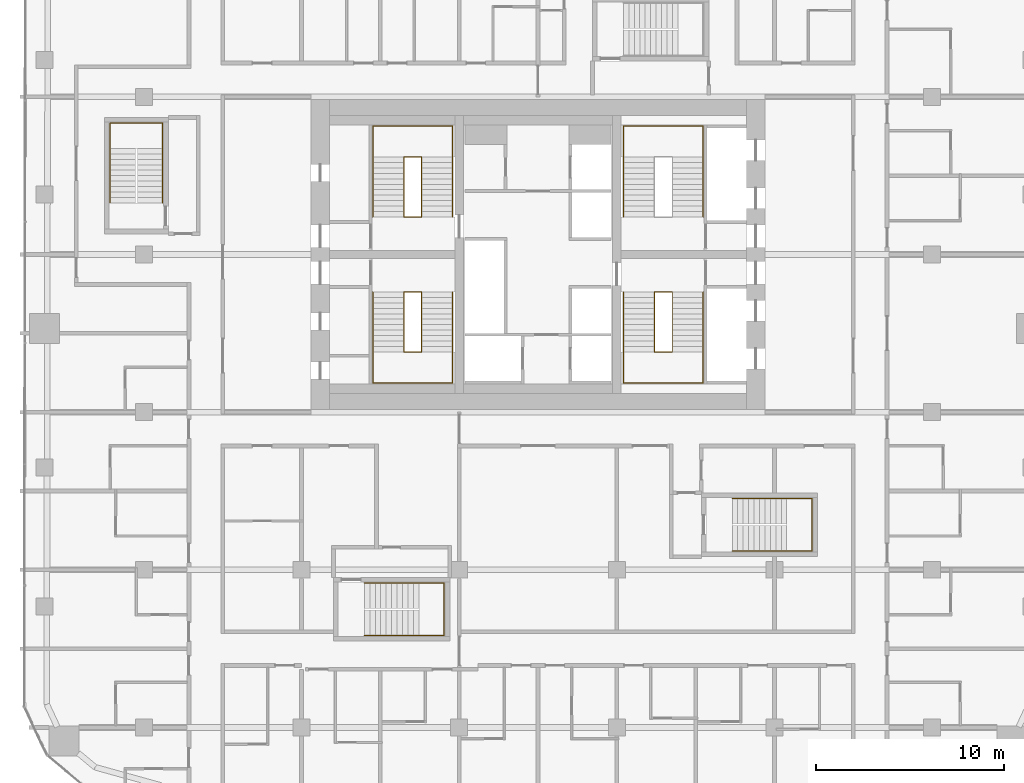
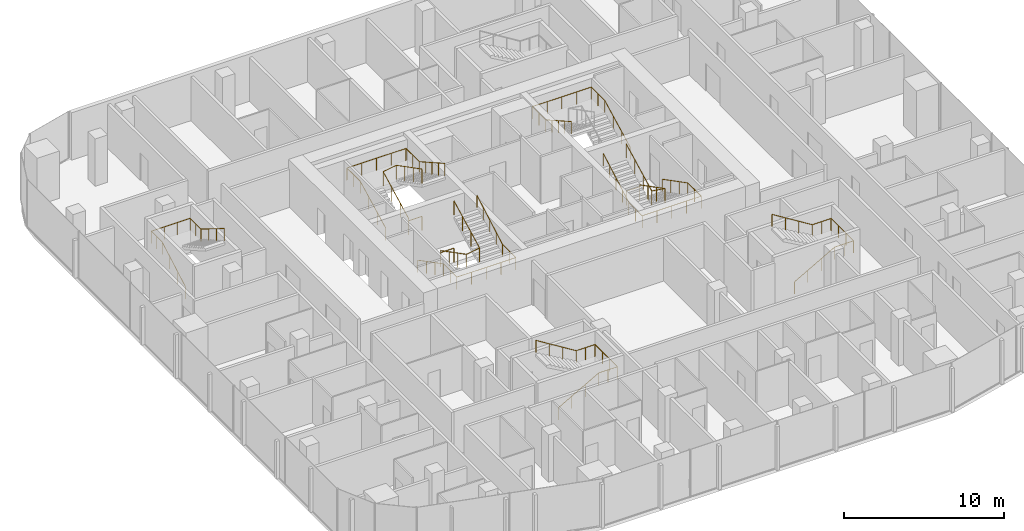
# One storey, part 22 of 23: 10 railings.
"""IFC4 building model written with IfcOpenShell, lengths in metres."""

from ifc_helpers import new_model, si_unit, direction, frame, origin, origin_2d, place, context, subcontext, project, spatial, circle, extrude, material, type_object, element, save


model = new_model("IFC4")

# Units and contexts
model_context = context("Model", 3, precision=1e-05, world=origin(), true_north=direction((0.0, 1.0)))
body_context = subcontext(model_context, "Body", "Model", "MODEL_VIEW")
ifc_project = project(units=[si_unit("LENGTHUNIT", "METRE"), si_unit("AREAUNIT", "SQUARE_METRE"), si_unit("VOLUMEUNIT", "CUBIC_METRE"), si_unit("PLANEANGLEUNIT", "RADIAN"), si_unit("MASSUNIT", "GRAM", prefix="KILO")], contexts=[model_context])

# Site, building, storey
site_placement = place(None, origin())
site = spatial("IfcSite", under=ifc_project, at=site_placement, CompositionType="ELEMENT")
building_placement = place(site_placement, origin())
building = spatial("IfcBuilding", under=site, at=building_placement, Name="Marenta Gate Hotel Tower", CompositionType="ELEMENT")
storey_placement = place(building_placement, frame((0.0, 0.0, 112.10009765625)))
storey = spatial("IfcBuildingStorey", under=building, at=storey_placement, Name="L24", CompositionType="ELEMENT", Elevation=112.10009765625)

# Railings
ifc_material_1 = material(Name="Stainless steel", Category="steel")
railing_type_1 = type_object("IfcRailingType", Name="Core stair handrail 950", PredefinedType="HANDRAIL", material=ifc_material_1)
railing_1_placement = place(storey_placement, frame((-8.800048828125, 6.39990234375, 0.14990234375)))
element("IfcRailing", 1, at=railing_1_placement, inside=storey, type_object=railing_type_1, Name="HR-950 L24-KR-ST1-1", PredefinedType="HANDRAIL", context=body_context, shape_type="SweptSolid", body=[
    extrude(circle(Radius=0.02392578125, at=origin_2d()), frame((0.0, 0.0, 0.92578125), z_axis=(0.0, -0.888225295554, 0.459408123936), x_axis=(1.0, 0.0, 0.0)), (0.0, 0.0, 1.0), 3.59130859375),
    extrude(circle(Radius=0.02392578125, at=origin_2d()), frame((0.0, -3.18994140625, 2.57568359375), z_axis=(0.0, -1.0, 0.0), x_axis=(1.0, 0.0, 0.0)), (0.0, 0.0, 1.0), 1.659912109375),
    extrude(circle(Radius=0.02392578125, at=origin_2d()), frame((0.0, -4.849853515625, 2.57568359375), z_axis=(1.0, 0.0, 0.0), x_axis=(0.0, 1.0, 0.0)), (0.0, 0.0, 1.0), 4.25),
    extrude(circle(Radius=0.02392578125, at=origin_2d()), frame((4.25, -4.849853515625, 2.57568359375), z_axis=(0.0, 1.0, 0.0), x_axis=(-1.0, 0.0, 0.0)), (0.0, 0.0, 1.0), 1.659912109375),
    extrude(circle(Radius=0.02392578125, at=origin_2d()), frame((4.25, -3.18994140625, 2.57568359375), z_axis=(0.0, 0.87090897868, 0.491444351738), x_axis=(-1.0, 0.0, 0.0)), (0.0, 0.0, 1.0), 3.662841796875),
    extrude(circle(Radius=0.02099609375, at=origin_2d()), origin(), (0.0, 0.0, 1.0), 0.90185546875),
    extrude(circle(Radius=0.02099609375, at=origin_2d()), frame((0.0, -1.063232421875, 0.550048828125)), (0.0, 0.0, 1.0), 0.90185546875),
    extrude(circle(Radius=0.02099609375, at=origin_2d()), frame((0.0, -2.126708984375, 1.099853515625)), (0.0, 0.0, 1.0), 0.90185546875),
    extrude(circle(Radius=0.02099609375, at=origin_2d()), frame((0.0, -3.18994140625, 1.64990234375)), (0.0, 0.0, 1.0), 0.90185546875),
    extrude(circle(Radius=0.02099609375, at=origin_2d()), frame((0.0, -4.02001953125, 1.64990234375)), (0.0, 0.0, 1.0), 0.90185546875),
    extrude(circle(Radius=0.02099609375, at=origin_2d()), frame((0.0, -4.849853515625, 1.64990234375)), (0.0, 0.0, 1.0), 0.90185546875),
    extrude(circle(Radius=0.02099609375, at=origin_2d()), frame((1.0625, -4.849853515625, 1.64990234375)), (0.0, 0.0, 1.0), 0.90185546875),
    extrude(circle(Radius=0.02099609375, at=origin_2d()), frame((2.125, -4.849853515625, 1.64990234375)), (0.0, 0.0, 1.0), 0.90185546875),
    extrude(circle(Radius=0.02099609375, at=origin_2d()), frame((3.1875, -4.849853515625, 1.64990234375)), (0.0, 0.0, 1.0), 0.90185546875),
    extrude(circle(Radius=0.02099609375, at=origin_2d()), frame((4.25, -4.849853515625, 1.64990234375)), (0.0, 0.0, 1.0), 0.90185546875),
    extrude(circle(Radius=0.02099609375, at=origin_2d()), frame((4.25, -4.02001953125, 1.64990234375)), (0.0, 0.0, 1.0), 0.90185546875),
    extrude(circle(Radius=0.02099609375, at=origin_2d()), frame((4.25, -3.18994140625, 1.64990234375)), (0.0, 0.0, 1.0), 0.90185546875),
    extrude(circle(Radius=0.02099609375, at=origin_2d()), frame((4.25, -2.392578125, 2.099853515625)), (0.0, 0.0, 1.0), 0.90185546875),
    extrude(circle(Radius=0.02099609375, at=origin_2d()), frame((4.25, -1.594970703125, 2.5498046875)), (0.0, 0.0, 1.0), 0.90185546875),
    extrude(circle(Radius=0.02099609375, at=origin_2d()), frame((4.25, -0.79736328125, 3.0)), (0.0, 0.0, 1.0), 0.90185546875),
    extrude(circle(Radius=0.02099609375, at=origin_2d()), frame((4.25, 0.0, 3.449951171875)), (0.0, 0.0, 1.0), 0.90185546875),
])
railing_2_placement = place(storey_placement, frame((-8.800048828125, 10.39990234375, 0.14990234375)))
element("IfcRailing", 2, at=railing_2_placement, inside=storey, type_object=railing_type_1, Name="HR-950 L24-KR-ST2-1", PredefinedType="HANDRAIL", context=body_context, shape_type="SweptSolid", body=[
    extrude(circle(Radius=0.02392578125, at=origin_2d()), frame((0.0, 0.0, 0.92578125), z_axis=(0.0, 0.888239641807, 0.459380385653), x_axis=(-1.0, 0.0, 0.0)), (0.0, 0.0, 1.0), 3.591552734375),
    extrude(circle(Radius=0.02392578125, at=origin_2d()), frame((0.0, 3.190185546875, 2.57568359375), z_axis=(0.0, 1.0, 0.0), x_axis=(-1.0, 0.0, 0.0)), (0.0, 0.0, 1.0), 1.659912109375),
    extrude(circle(Radius=0.02392578125, at=origin_2d()), frame((0.0, 4.85009765625, 2.57568359375), z_axis=(1.0, 0.0, 0.0), x_axis=(0.0, 1.0, 0.0)), (0.0, 0.0, 1.0), 4.25),
    extrude(circle(Radius=0.02392578125, at=origin_2d()), frame((4.25, 4.85009765625, 2.57568359375), z_axis=(0.0, -1.0, 0.0), x_axis=(1.0, 0.0, 0.0)), (0.0, 0.0, 1.0), 1.659912109375),
    extrude(circle(Radius=0.02392578125, at=origin_2d()), frame((4.25, 3.190185546875, 2.57568359375), z_axis=(0.0, -0.870925075533, 0.491415824742), x_axis=(1.0, 0.0, 0.0)), (0.0, 0.0, 1.0), 3.6630859375),
    extrude(circle(Radius=0.02099609375, at=origin_2d()), origin(), (0.0, 0.0, 1.0), 0.90185546875),
    extrude(circle(Radius=0.02099609375, at=origin_2d()), frame((0.0, 1.0634765625, 0.550048828125)), (0.0, 0.0, 1.0), 0.90185546875),
    extrude(circle(Radius=0.02099609375, at=origin_2d()), frame((0.0, 2.126708984375, 1.099853515625)), (0.0, 0.0, 1.0), 0.90185546875),
    extrude(circle(Radius=0.02099609375, at=origin_2d()), frame((0.0, 3.190185546875, 1.64990234375)), (0.0, 0.0, 1.0), 0.90185546875),
    extrude(circle(Radius=0.02099609375, at=origin_2d()), frame((0.0, 4.02001953125, 1.64990234375)), (0.0, 0.0, 1.0), 0.90185546875),
    extrude(circle(Radius=0.02099609375, at=origin_2d()), frame((0.0, 4.85009765625, 1.64990234375)), (0.0, 0.0, 1.0), 0.90185546875),
    extrude(circle(Radius=0.02099609375, at=origin_2d()), frame((1.0625, 4.85009765625, 1.64990234375)), (0.0, 0.0, 1.0), 0.90185546875),
    extrude(circle(Radius=0.02099609375, at=origin_2d()), frame((2.125, 4.85009765625, 1.64990234375)), (0.0, 0.0, 1.0), 0.90185546875),
    extrude(circle(Radius=0.02099609375, at=origin_2d()), frame((3.1875, 4.85009765625, 1.64990234375)), (0.0, 0.0, 1.0), 0.90185546875),
    extrude(circle(Radius=0.02099609375, at=origin_2d()), frame((4.25, 4.85009765625, 1.64990234375)), (0.0, 0.0, 1.0), 0.90185546875),
    extrude(circle(Radius=0.02099609375, at=origin_2d()), frame((4.25, 4.02001953125, 1.64990234375)), (0.0, 0.0, 1.0), 0.90185546875),
    extrude(circle(Radius=0.02099609375, at=origin_2d()), frame((4.25, 3.190185546875, 1.64990234375)), (0.0, 0.0, 1.0), 0.90185546875),
    extrude(circle(Radius=0.02099609375, at=origin_2d()), frame((4.25, 2.392578125, 2.099853515625)), (0.0, 0.0, 1.0), 0.90185546875),
    extrude(circle(Radius=0.02099609375, at=origin_2d()), frame((4.25, 1.59521484375, 2.5498046875)), (0.0, 0.0, 1.0), 0.90185546875),
    extrude(circle(Radius=0.02099609375, at=origin_2d()), frame((4.25, 0.797607421875, 3.0)), (0.0, 0.0, 1.0), 0.90185546875),
    extrude(circle(Radius=0.02099609375, at=origin_2d()), frame((4.25, 0.0, 3.449951171875)), (0.0, 0.0, 1.0), 0.90185546875),
])
railing_3_placement = place(storey_placement, frame((8.800048828125, 6.39990234375, 0.14990234375)))
element("IfcRailing", 3, at=railing_3_placement, inside=storey, type_object=railing_type_1, Name="HR-950 L24-KR-ST3-1", PredefinedType="HANDRAIL", context=body_context, shape_type="SweptSolid", body=[
    extrude(circle(Radius=0.02392578125, at=origin_2d()), frame((0.0, 0.0, 0.92578125), z_axis=(0.0, -0.888225295554, 0.459408123936), x_axis=(1.0, 0.0, 0.0)), (0.0, 0.0, 1.0), 3.59130859375),
    extrude(circle(Radius=0.02392578125, at=origin_2d()), frame((0.0, -3.18994140625, 2.57568359375), z_axis=(0.0, -1.0, 0.0), x_axis=(1.0, 0.0, 0.0)), (0.0, 0.0, 1.0), 1.659912109375),
    extrude(circle(Radius=0.02392578125, at=origin_2d()), frame((0.0, -4.849853515625, 2.57568359375), z_axis=(-1.0, 0.0, 0.0), x_axis=(0.0, -1.0, 0.0)), (0.0, 0.0, 1.0), 4.25),
    extrude(circle(Radius=0.02392578125, at=origin_2d()), frame((-4.25, -4.849853515625, 2.57568359375), z_axis=(0.0, 1.0, 0.0), x_axis=(-1.0, 0.0, 0.0)), (0.0, 0.0, 1.0), 1.659912109375),
    extrude(circle(Radius=0.02392578125, at=origin_2d()), frame((-4.25, -3.18994140625, 2.57568359375), z_axis=(0.0, 0.87090897868, 0.491444351738), x_axis=(-1.0, 0.0, 0.0)), (0.0, 0.0, 1.0), 3.662841796875),
    extrude(circle(Radius=0.02099609375, at=origin_2d()), origin(), (0.0, 0.0, 1.0), 0.90185546875),
    extrude(circle(Radius=0.02099609375, at=origin_2d()), frame((0.0, -1.063232421875, 0.550048828125)), (0.0, 0.0, 1.0), 0.90185546875),
    extrude(circle(Radius=0.02099609375, at=origin_2d()), frame((0.0, -2.126708984375, 1.099853515625)), (0.0, 0.0, 1.0), 0.90185546875),
    extrude(circle(Radius=0.02099609375, at=origin_2d()), frame((0.0, -3.18994140625, 1.64990234375)), (0.0, 0.0, 1.0), 0.90185546875),
    extrude(circle(Radius=0.02099609375, at=origin_2d()), frame((0.0, -4.02001953125, 1.64990234375)), (0.0, 0.0, 1.0), 0.90185546875),
    extrude(circle(Radius=0.02099609375, at=origin_2d()), frame((0.0, -4.849853515625, 1.64990234375)), (0.0, 0.0, 1.0), 0.90185546875),
    extrude(circle(Radius=0.02099609375, at=origin_2d()), frame((-1.0625, -4.849853515625, 1.64990234375)), (0.0, 0.0, 1.0), 0.90185546875),
    extrude(circle(Radius=0.02099609375, at=origin_2d()), frame((-2.125, -4.849853515625, 1.64990234375)), (0.0, 0.0, 1.0), 0.90185546875),
    extrude(circle(Radius=0.02099609375, at=origin_2d()), frame((-3.1875, -4.849853515625, 1.64990234375)), (0.0, 0.0, 1.0), 0.90185546875),
    extrude(circle(Radius=0.02099609375, at=origin_2d()), frame((-4.25, -4.849853515625, 1.64990234375)), (0.0, 0.0, 1.0), 0.90185546875),
    extrude(circle(Radius=0.02099609375, at=origin_2d()), frame((-4.25, -4.02001953125, 1.64990234375)), (0.0, 0.0, 1.0), 0.90185546875),
    extrude(circle(Radius=0.02099609375, at=origin_2d()), frame((-4.25, -3.18994140625, 1.64990234375)), (0.0, 0.0, 1.0), 0.90185546875),
    extrude(circle(Radius=0.02099609375, at=origin_2d()), frame((-4.25, -2.392578125, 2.099853515625)), (0.0, 0.0, 1.0), 0.90185546875),
    extrude(circle(Radius=0.02099609375, at=origin_2d()), frame((-4.25, -1.594970703125, 2.5498046875)), (0.0, 0.0, 1.0), 0.90185546875),
    extrude(circle(Radius=0.02099609375, at=origin_2d()), frame((-4.25, -0.79736328125, 3.0)), (0.0, 0.0, 1.0), 0.90185546875),
    extrude(circle(Radius=0.02099609375, at=origin_2d()), frame((-4.25, 0.0, 3.449951171875)), (0.0, 0.0, 1.0), 0.90185546875),
])
railing_4_placement = place(storey_placement, frame((8.800048828125, 10.39990234375, 0.14990234375)))
element("IfcRailing", 4, at=railing_4_placement, inside=storey, type_object=railing_type_1, Name="HR-950 L24-KR-ST4-1", PredefinedType="HANDRAIL", context=body_context, shape_type="SweptSolid", body=[
    extrude(circle(Radius=0.02392578125, at=origin_2d()), frame((0.0, 0.0, 0.92578125), z_axis=(0.0, 0.888239641807, 0.459380385653), x_axis=(-1.0, 0.0, 0.0)), (0.0, 0.0, 1.0), 3.591552734375),
    extrude(circle(Radius=0.02392578125, at=origin_2d()), frame((0.0, 3.190185546875, 2.57568359375), z_axis=(0.0, 1.0, 0.0), x_axis=(-1.0, 0.0, 0.0)), (0.0, 0.0, 1.0), 1.659912109375),
    extrude(circle(Radius=0.02392578125, at=origin_2d()), frame((0.0, 4.85009765625, 2.57568359375), z_axis=(-1.0, 0.0, 0.0), x_axis=(0.0, -1.0, 0.0)), (0.0, 0.0, 1.0), 4.25),
    extrude(circle(Radius=0.02392578125, at=origin_2d()), frame((-4.25, 4.85009765625, 2.57568359375), z_axis=(0.0, -1.0, 0.0), x_axis=(1.0, 0.0, 0.0)), (0.0, 0.0, 1.0), 1.659912109375),
    extrude(circle(Radius=0.02392578125, at=origin_2d()), frame((-4.25, 3.190185546875, 2.57568359375), z_axis=(0.0, -0.870925075533, 0.491415824742), x_axis=(1.0, 0.0, 0.0)), (0.0, 0.0, 1.0), 3.6630859375),
    extrude(circle(Radius=0.02099609375, at=origin_2d()), origin(), (0.0, 0.0, 1.0), 0.90185546875),
    extrude(circle(Radius=0.02099609375, at=origin_2d()), frame((0.0, 1.0634765625, 0.550048828125)), (0.0, 0.0, 1.0), 0.90185546875),
    extrude(circle(Radius=0.02099609375, at=origin_2d()), frame((0.0, 2.126708984375, 1.099853515625)), (0.0, 0.0, 1.0), 0.90185546875),
    extrude(circle(Radius=0.02099609375, at=origin_2d()), frame((0.0, 3.190185546875, 1.64990234375)), (0.0, 0.0, 1.0), 0.90185546875),
    extrude(circle(Radius=0.02099609375, at=origin_2d()), frame((0.0, 4.02001953125, 1.64990234375)), (0.0, 0.0, 1.0), 0.90185546875),
    extrude(circle(Radius=0.02099609375, at=origin_2d()), frame((0.0, 4.85009765625, 1.64990234375)), (0.0, 0.0, 1.0), 0.90185546875),
    extrude(circle(Radius=0.02099609375, at=origin_2d()), frame((-1.0625, 4.85009765625, 1.64990234375)), (0.0, 0.0, 1.0), 0.90185546875),
    extrude(circle(Radius=0.02099609375, at=origin_2d()), frame((-2.125, 4.85009765625, 1.64990234375)), (0.0, 0.0, 1.0), 0.90185546875),
    extrude(circle(Radius=0.02099609375, at=origin_2d()), frame((-3.1875, 4.85009765625, 1.64990234375)), (0.0, 0.0, 1.0), 0.90185546875),
    extrude(circle(Radius=0.02099609375, at=origin_2d()), frame((-4.25, 4.85009765625, 1.64990234375)), (0.0, 0.0, 1.0), 0.90185546875),
    extrude(circle(Radius=0.02099609375, at=origin_2d()), frame((-4.25, 4.02001953125, 1.64990234375)), (0.0, 0.0, 1.0), 0.90185546875),
    extrude(circle(Radius=0.02099609375, at=origin_2d()), frame((-4.25, 3.190185546875, 1.64990234375)), (0.0, 0.0, 1.0), 0.90185546875),
    extrude(circle(Radius=0.02099609375, at=origin_2d()), frame((-4.25, 2.392578125, 2.099853515625)), (0.0, 0.0, 1.0), 0.90185546875),
    extrude(circle(Radius=0.02099609375, at=origin_2d()), frame((-4.25, 1.59521484375, 2.5498046875)), (0.0, 0.0, 1.0), 0.90185546875),
    extrude(circle(Radius=0.02099609375, at=origin_2d()), frame((-4.25, 0.797607421875, 3.0)), (0.0, 0.0, 1.0), 0.90185546875),
    extrude(circle(Radius=0.02099609375, at=origin_2d()), frame((-4.25, 0.0, 3.449951171875)), (0.0, 0.0, 1.0), 0.90185546875),
])
railing_5_placement = place(storey_placement, frame((-22.800048828125, 11.14990234375, 0.16357421875)))
element("IfcRailing", 5, at=railing_5_placement, inside=storey, type_object=railing_type_1, Name="HR-950 L24-RS-Z1-3-KR-1", PredefinedType="HANDRAIL", context=body_context, shape_type="SweptSolid", body=[
    extrude(circle(Radius=0.02392578125, at=origin_2d()), frame((0.0, 0.0, 0.92578125), z_axis=(0.0, 0.870946286338, 0.49137823142), x_axis=(-1.0, 0.0, 0.0)), (0.0, 0.0, 1.0), 3.329833984375),
    extrude(circle(Radius=0.02392578125, at=origin_2d()), frame((0.0, 2.900146484375, 2.56201171875), z_axis=(0.0, 1.0, 0.0), x_axis=(-1.0, 0.0, 0.0)), (0.0, 0.0, 1.0), 1.349853515625),
    extrude(circle(Radius=0.02392578125, at=origin_2d()), frame((0.0, 4.25, 2.56201171875), z_axis=(1.0, 0.0, 0.0), x_axis=(0.0, 1.0, 0.0)), (0.0, 0.0, 1.0), 2.800048828125),
    extrude(circle(Radius=0.02392578125, at=origin_2d()), frame((2.800048828125, 4.25, 2.56201171875), z_axis=(0.0, -1.0, 0.0), x_axis=(1.0, 0.0, 0.0)), (0.0, 0.0, 1.0), 1.349853515625),
    extrude(circle(Radius=0.02392578125, at=origin_2d()), frame((2.800048828125, 2.900146484375, 2.56201171875), z_axis=(0.0, -0.849645691689, 0.527353959494), x_axis=(1.0, 0.0, 0.0)), (0.0, 0.0, 1.0), 3.413330078125),
    extrude(circle(Radius=0.02099609375, at=origin_2d()), origin(), (0.0, 0.0, 1.0), 0.90185546875),
    extrude(circle(Radius=0.02099609375, at=origin_2d()), frame((0.0, 0.966796875, 0.54541015625)), (0.0, 0.0, 1.0), 0.90185546875),
    extrude(circle(Radius=0.02099609375, at=origin_2d()), frame((0.0, 1.933349609375, 1.0908203125)), (0.0, 0.0, 1.0), 0.90185546875),
    extrude(circle(Radius=0.02099609375, at=origin_2d()), frame((0.0, 2.900146484375, 1.63623046875)), (0.0, 0.0, 1.0), 0.90185546875),
    extrude(circle(Radius=0.02099609375, at=origin_2d()), frame((0.0, 3.5751953125, 1.63623046875)), (0.0, 0.0, 1.0), 0.90185546875),
    extrude(circle(Radius=0.02099609375, at=origin_2d()), frame((0.0, 4.25, 1.63623046875)), (0.0, 0.0, 1.0), 0.90185546875),
    extrude(circle(Radius=0.02099609375, at=origin_2d()), frame((0.933349609375, 4.25, 1.63623046875)), (0.0, 0.0, 1.0), 0.90185546875),
    extrude(circle(Radius=0.02099609375, at=origin_2d()), frame((1.86669921875, 4.25, 1.63623046875)), (0.0, 0.0, 1.0), 0.90185546875),
    extrude(circle(Radius=0.02099609375, at=origin_2d()), frame((2.800048828125, 4.25, 1.63623046875)), (0.0, 0.0, 1.0), 0.90185546875),
    extrude(circle(Radius=0.02099609375, at=origin_2d()), frame((2.800048828125, 3.5751953125, 1.63623046875)), (0.0, 0.0, 1.0), 0.90185546875),
    extrude(circle(Radius=0.02099609375, at=origin_2d()), frame((2.800048828125, 2.900146484375, 1.63623046875)), (0.0, 0.0, 1.0), 0.90185546875),
    extrude(circle(Radius=0.02099609375, at=origin_2d()), frame((2.800048828125, 1.933349609375, 2.236328125)), (0.0, 0.0, 1.0), 0.90185546875),
    extrude(circle(Radius=0.02099609375, at=origin_2d()), frame((2.800048828125, 0.966796875, 2.836181640625)), (0.0, 0.0, 1.0), 0.90185546875),
    extrude(circle(Radius=0.02099609375, at=origin_2d()), frame((2.800048828125, 0.0, 3.436279296875)), (0.0, 0.0, 1.0), 0.90185546875),
])
railing_6_placement = place(storey_placement, frame((-9.25, -11.89990234375, 0.16357421875)))
element("IfcRailing", 6, at=railing_6_placement, inside=storey, type_object=railing_type_1, Name="HR-950 L24-RS-Z2-1-KR-1", PredefinedType="HANDRAIL", context=body_context, shape_type="SweptSolid", body=[
    extrude(circle(Radius=0.02392578125, at=origin_2d()), frame((0.0, 0.0, 0.92578125), z_axis=(0.870928581787, 0.0, 0.491409610636), x_axis=(0.0, 1.0, 0.0)), (0.0, 0.0, 1.0), 3.32958984375),
    extrude(circle(Radius=0.02392578125, at=origin_2d()), frame((2.89990234375, 0.0, 2.56201171875), z_axis=(1.0, 0.0, 0.0), x_axis=(0.0, 1.0, 0.0)), (0.0, 0.0, 1.0), 1.35009765625),
    extrude(circle(Radius=0.02392578125, at=origin_2d()), frame((4.25, 0.0, 2.56201171875), z_axis=(0.0, 1.0, 0.0), x_axis=(-1.0, 0.0, 0.0)), (0.0, 0.0, 1.0), 2.7998046875),
    extrude(circle(Radius=0.02392578125, at=origin_2d()), frame((4.25, 2.7998046875, 2.56201171875), z_axis=(-1.0, 0.0, 0.0), x_axis=(0.0, -1.0, 0.0)), (0.0, 0.0, 1.0), 1.35009765625),
    extrude(circle(Radius=0.02392578125, at=origin_2d()), frame((2.89990234375, 2.7998046875, 2.56201171875), z_axis=(-0.849625798611, 0.0, 0.527386008853), x_axis=(0.0, -1.0, 0.0)), (0.0, 0.0, 1.0), 3.4130859375),
    extrude(circle(Radius=0.02099609375, at=origin_2d()), origin(), (0.0, 0.0, 1.0), 0.90185546875),
    extrude(circle(Radius=0.02099609375, at=origin_2d()), frame((0.966552734375, 0.0, 0.54541015625)), (0.0, 0.0, 1.0), 0.90185546875),
    extrude(circle(Radius=0.02099609375, at=origin_2d()), frame((1.933349609375, 0.0, 1.0908203125)), (0.0, 0.0, 1.0), 0.90185546875),
    extrude(circle(Radius=0.02099609375, at=origin_2d()), frame((2.89990234375, 0.0, 1.63623046875)), (0.0, 0.0, 1.0), 0.90185546875),
    extrude(circle(Radius=0.02099609375, at=origin_2d()), frame((3.574951171875, 0.0, 1.63623046875)), (0.0, 0.0, 1.0), 0.90185546875),
    extrude(circle(Radius=0.02099609375, at=origin_2d()), frame((4.25, 0.0, 1.63623046875)), (0.0, 0.0, 1.0), 0.90185546875),
    extrude(circle(Radius=0.02099609375, at=origin_2d()), frame((4.25, 0.933349609375, 1.63623046875)), (0.0, 0.0, 1.0), 0.90185546875),
    extrude(circle(Radius=0.02099609375, at=origin_2d()), frame((4.25, 1.866455078125, 1.63623046875)), (0.0, 0.0, 1.0), 0.90185546875),
    extrude(circle(Radius=0.02099609375, at=origin_2d()), frame((4.25, 2.7998046875, 1.63623046875)), (0.0, 0.0, 1.0), 0.90185546875),
    extrude(circle(Radius=0.02099609375, at=origin_2d()), frame((3.574951171875, 2.7998046875, 1.63623046875)), (0.0, 0.0, 1.0), 0.90185546875),
    extrude(circle(Radius=0.02099609375, at=origin_2d()), frame((2.89990234375, 2.7998046875, 1.63623046875)), (0.0, 0.0, 1.0), 0.90185546875),
    extrude(circle(Radius=0.02099609375, at=origin_2d()), frame((1.933349609375, 2.7998046875, 2.236328125)), (0.0, 0.0, 1.0), 0.90185546875),
    extrude(circle(Radius=0.02099609375, at=origin_2d()), frame((0.966552734375, 2.7998046875, 2.836181640625)), (0.0, 0.0, 1.0), 0.90185546875),
    extrude(circle(Radius=0.02099609375, at=origin_2d()), frame((0.0, 2.7998046875, 3.436279296875)), (0.0, 0.0, 1.0), 0.90185546875),
])
railing_7_placement = place(storey_placement, frame((10.35009765625, -7.39990234375, 0.16357421875)))
element("IfcRailing", 7, at=railing_7_placement, inside=storey, type_object=railing_type_1, Name="HR-950 L24-RS-Z2-2-KR-1", PredefinedType="HANDRAIL", context=body_context, shape_type="SweptSolid", body=[
    extrude(circle(Radius=0.02392578125, at=origin_2d()), frame((0.0, 0.0, 0.92578125), z_axis=(0.870928581787, 0.0, 0.491409610636), x_axis=(0.0, 1.0, 0.0)), (0.0, 0.0, 1.0), 3.32958984375),
    extrude(circle(Radius=0.02392578125, at=origin_2d()), frame((2.89990234375, 0.0, 2.56201171875), z_axis=(1.0, 0.0, 0.0), x_axis=(0.0, 1.0, 0.0)), (0.0, 0.0, 1.0), 1.35009765625),
    extrude(circle(Radius=0.02392578125, at=origin_2d()), frame((4.25, 0.0, 2.56201171875), z_axis=(0.0, 1.0, 0.0), x_axis=(-1.0, 0.0, 0.0)), (0.0, 0.0, 1.0), 2.7998046875),
    extrude(circle(Radius=0.02392578125, at=origin_2d()), frame((4.25, 2.7998046875, 2.56201171875), z_axis=(-1.0, 0.0, 0.0), x_axis=(0.0, -1.0, 0.0)), (0.0, 0.0, 1.0), 1.35009765625),
    extrude(circle(Radius=0.02392578125, at=origin_2d()), frame((2.89990234375, 2.7998046875, 2.56201171875), z_axis=(-0.849625798611, 0.0, 0.527386008853), x_axis=(0.0, -1.0, 0.0)), (0.0, 0.0, 1.0), 3.4130859375),
    extrude(circle(Radius=0.02099609375, at=origin_2d()), origin(), (0.0, 0.0, 1.0), 0.90185546875),
    extrude(circle(Radius=0.02099609375, at=origin_2d()), frame((0.966552734375, 0.0, 0.54541015625)), (0.0, 0.0, 1.0), 0.90185546875),
    extrude(circle(Radius=0.02099609375, at=origin_2d()), frame((1.933349609375, 0.0, 1.0908203125)), (0.0, 0.0, 1.0), 0.90185546875),
    extrude(circle(Radius=0.02099609375, at=origin_2d()), frame((2.89990234375, 0.0, 1.63623046875)), (0.0, 0.0, 1.0), 0.90185546875),
    extrude(circle(Radius=0.02099609375, at=origin_2d()), frame((3.574951171875, 0.0, 1.63623046875)), (0.0, 0.0, 1.0), 0.90185546875),
    extrude(circle(Radius=0.02099609375, at=origin_2d()), frame((4.25, 0.0, 1.63623046875)), (0.0, 0.0, 1.0), 0.90185546875),
    extrude(circle(Radius=0.02099609375, at=origin_2d()), frame((4.25, 0.933349609375, 1.63623046875)), (0.0, 0.0, 1.0), 0.90185546875),
    extrude(circle(Radius=0.02099609375, at=origin_2d()), frame((4.25, 1.866455078125, 1.63623046875)), (0.0, 0.0, 1.0), 0.90185546875),
    extrude(circle(Radius=0.02099609375, at=origin_2d()), frame((4.25, 2.7998046875, 1.63623046875)), (0.0, 0.0, 1.0), 0.90185546875),
    extrude(circle(Radius=0.02099609375, at=origin_2d()), frame((3.574951171875, 2.7998046875, 1.63623046875)), (0.0, 0.0, 1.0), 0.90185546875),
    extrude(circle(Radius=0.02099609375, at=origin_2d()), frame((2.89990234375, 2.7998046875, 1.63623046875)), (0.0, 0.0, 1.0), 0.90185546875),
    extrude(circle(Radius=0.02099609375, at=origin_2d()), frame((1.933349609375, 2.7998046875, 2.236328125)), (0.0, 0.0, 1.0), 0.90185546875),
    extrude(circle(Radius=0.02099609375, at=origin_2d()), frame((0.966552734375, 2.7998046875, 2.836181640625)), (0.0, 0.0, 1.0), 0.90185546875),
    extrude(circle(Radius=0.02099609375, at=origin_2d()), frame((0.0, 2.7998046875, 3.436279296875)), (0.0, 0.0, 1.0), 0.90185546875),
])
ifc_material_2 = material(Name="Stainless steel", Category="steel")
railing_type_2 = type_object("IfcRailingType", Name="Core stair well guard 1100", PredefinedType="GUARDRAIL", material=ifc_material_2)
railing_8_placement = place(storey_placement, frame((-6.199951171875, 6.39990234375, 0.0)))
element("IfcRailing", 8, at=railing_8_placement, inside=storey, type_object=railing_type_2, Name="GR-1100 L24-KR-ST1-2", PredefinedType="GUARDRAIL", context=body_context, shape_type="SweptSolid", body=[
    extrude(circle(Radius=0.02392578125, at=origin_2d()), frame((0.0, 0.0, 1.076171875), z_axis=(-1.0, 0.0, 0.0), x_axis=(0.0, -1.0, 0.0)), (0.0, 0.0, 1.0), 0.949951171875),
    extrude(circle(Radius=0.02392578125, at=origin_2d()), frame((-0.949951171875, 0.0, 1.076171875), z_axis=(0.0, 0.0, 1.0), x_axis=(1.0, 0.0, 0.0)), (0.0, 0.0, 1.0), 0.14990234375),
    extrude(circle(Radius=0.02392578125, at=origin_2d()), frame((-0.949951171875, 0.0, 1.22607421875), z_axis=(0.0, -0.888225295554, 0.459408123936), x_axis=(1.0, 0.0, 0.0)), (0.0, 0.0, 1.0), 3.59130859375),
    extrude(circle(Radius=0.02392578125, at=origin_2d()), frame((-0.949951171875, -3.18994140625, 2.8759765625), z_axis=(0.987738253826, 0.0, 0.156118999255), x_axis=(0.0, 1.0, 0.0)), (0.0, 0.0, 1.0), 0.961669921875),
    extrude(circle(Radius=0.02392578125, at=origin_2d()), frame((0.0, -3.18994140625, 3.02587890625), z_axis=(0.0, 0.888225295554, 0.459408123936), x_axis=(-1.0, 0.0, 0.0)), (0.0, 0.0, 1.0), 3.59130859375),
    extrude(circle(Radius=0.02099609375, at=origin_2d()), origin(), (0.0, 0.0, 1.0), 1.052001953125),
    extrude(circle(Radius=0.02099609375, at=origin_2d()), frame((-0.949951171875, 0.0, 0.0)), (0.0, 0.0, 1.0), 1.052001953125),
    extrude(circle(Radius=0.02099609375, at=origin_2d()), frame((-0.949951171875, 0.0, 0.14990234375)), (0.0, 0.0, 1.0), 1.052001953125),
    extrude(circle(Radius=0.02099609375, at=origin_2d()), frame((-0.949951171875, -1.063232421875, 0.699951171875)), (0.0, 0.0, 1.0), 1.052001953125),
    extrude(circle(Radius=0.02099609375, at=origin_2d()), frame((-0.949951171875, -2.126708984375, 1.249755859375)), (0.0, 0.0, 1.0), 1.052001953125),
    extrude(circle(Radius=0.02099609375, at=origin_2d()), frame((-0.949951171875, -3.18994140625, 1.7998046875)), (0.0, 0.0, 1.0), 1.052001953125),
    extrude(circle(Radius=0.02099609375, at=origin_2d()), frame((0.0, -3.18994140625, 1.949951171875)), (0.0, 0.0, 1.0), 1.052001953125),
    extrude(circle(Radius=0.02099609375, at=origin_2d()), frame((0.0, -2.126708984375, 2.5)), (0.0, 0.0, 1.0), 1.052001953125),
    extrude(circle(Radius=0.02099609375, at=origin_2d()), frame((0.0, -1.063232421875, 3.0498046875)), (0.0, 0.0, 1.0), 1.052001953125),
    extrude(circle(Radius=0.02099609375, at=origin_2d()), frame((0.0, 0.0, 3.599853515625)), (0.0, 0.0, 1.0), 1.052001953125),
])
railing_9_placement = place(storey_placement, frame((-6.199951171875, 10.39990234375, 0.0)))
element("IfcRailing", 9, at=railing_9_placement, inside=storey, type_object=railing_type_2, Name="GR-1100 L24-KR-ST2-2", PredefinedType="GUARDRAIL", context=body_context, shape_type="SweptSolid", body=[
    extrude(circle(Radius=0.02392578125, at=origin_2d()), frame((0.0, 0.0, 1.076171875), z_axis=(-1.0, 0.0, 0.0), x_axis=(0.0, -1.0, 0.0)), (0.0, 0.0, 1.0), 0.949951171875),
    extrude(circle(Radius=0.02392578125, at=origin_2d()), frame((-0.949951171875, 0.0, 1.076171875), z_axis=(0.0, 0.0, 1.0), x_axis=(1.0, 0.0, 0.0)), (0.0, 0.0, 1.0), 0.14990234375),
    extrude(circle(Radius=0.02392578125, at=origin_2d()), frame((-0.949951171875, 0.0, 1.22607421875), z_axis=(0.0, 0.888239641807, 0.459380385653), x_axis=(-1.0, 0.0, 0.0)), (0.0, 0.0, 1.0), 3.591552734375),
    extrude(circle(Radius=0.02392578125, at=origin_2d()), frame((-0.949951171875, 3.190185546875, 2.8759765625), z_axis=(0.987738253826, 0.0, 0.156118999255), x_axis=(0.0, 1.0, 0.0)), (0.0, 0.0, 1.0), 0.961669921875),
    extrude(circle(Radius=0.02392578125, at=origin_2d()), frame((0.0, 3.190185546875, 3.02587890625), z_axis=(0.0, -0.888239641807, 0.459380385653), x_axis=(1.0, 0.0, 0.0)), (0.0, 0.0, 1.0), 3.591552734375),
    extrude(circle(Radius=0.02099609375, at=origin_2d()), origin(), (0.0, 0.0, 1.0), 1.052001953125),
    extrude(circle(Radius=0.02099609375, at=origin_2d()), frame((-0.949951171875, 0.0, 0.0)), (0.0, 0.0, 1.0), 1.052001953125),
    extrude(circle(Radius=0.02099609375, at=origin_2d()), frame((-0.949951171875, 0.0, 0.14990234375)), (0.0, 0.0, 1.0), 1.052001953125),
    extrude(circle(Radius=0.02099609375, at=origin_2d()), frame((-0.949951171875, 1.0634765625, 0.699951171875)), (0.0, 0.0, 1.0), 1.052001953125),
    extrude(circle(Radius=0.02099609375, at=origin_2d()), frame((-0.949951171875, 2.126708984375, 1.249755859375)), (0.0, 0.0, 1.0), 1.052001953125),
    extrude(circle(Radius=0.02099609375, at=origin_2d()), frame((-0.949951171875, 3.190185546875, 1.7998046875)), (0.0, 0.0, 1.0), 1.052001953125),
    extrude(circle(Radius=0.02099609375, at=origin_2d()), frame((0.0, 3.190185546875, 1.949951171875)), (0.0, 0.0, 1.0), 1.052001953125),
    extrude(circle(Radius=0.02099609375, at=origin_2d()), frame((0.0, 2.126708984375, 2.5)), (0.0, 0.0, 1.0), 1.052001953125),
    extrude(circle(Radius=0.02099609375, at=origin_2d()), frame((0.0, 1.0634765625, 3.0498046875)), (0.0, 0.0, 1.0), 1.052001953125),
    extrude(circle(Radius=0.02099609375, at=origin_2d()), frame((0.0, 0.0, 3.599853515625)), (0.0, 0.0, 1.0), 1.052001953125),
])
railing_10_placement = place(storey_placement, frame((6.199951171875, 6.39990234375, 0.0)))
element("IfcRailing", 10, at=railing_10_placement, inside=storey, type_object=railing_type_2, Name="GR-1100 L24-KR-ST3-2", PredefinedType="GUARDRAIL", context=body_context, shape_type="SweptSolid", body=[
    extrude(circle(Radius=0.02392578125, at=origin_2d()), frame((0.0, 0.0, 1.076171875), z_axis=(1.0, 0.0, 0.0), x_axis=(0.0, 1.0, 0.0)), (0.0, 0.0, 1.0), 0.949951171875),
    extrude(circle(Radius=0.02392578125, at=origin_2d()), frame((0.949951171875, 0.0, 1.076171875), z_axis=(0.0, 0.0, 1.0), x_axis=(1.0, 0.0, 0.0)), (0.0, 0.0, 1.0), 0.14990234375),
    extrude(circle(Radius=0.02392578125, at=origin_2d()), frame((0.949951171875, 0.0, 1.22607421875), z_axis=(0.0, -0.888225295554, 0.459408123936), x_axis=(1.0, 0.0, 0.0)), (0.0, 0.0, 1.0), 3.59130859375),
    extrude(circle(Radius=0.02392578125, at=origin_2d()), frame((0.949951171875, -3.18994140625, 2.8759765625), z_axis=(-0.987738253826, 0.0, 0.156118999255), x_axis=(0.0, -1.0, 0.0)), (0.0, 0.0, 1.0), 0.961669921875),
    extrude(circle(Radius=0.02392578125, at=origin_2d()), frame((0.0, -3.18994140625, 3.02587890625), z_axis=(0.0, 0.888225295554, 0.459408123936), x_axis=(-1.0, 0.0, 0.0)), (0.0, 0.0, 1.0), 3.59130859375),
    extrude(circle(Radius=0.02099609375, at=origin_2d()), origin(), (0.0, 0.0, 1.0), 1.052001953125),
    extrude(circle(Radius=0.02099609375, at=origin_2d()), frame((0.949951171875, 0.0, 0.0)), (0.0, 0.0, 1.0), 1.052001953125),
    extrude(circle(Radius=0.02099609375, at=origin_2d()), frame((0.949951171875, 0.0, 0.14990234375)), (0.0, 0.0, 1.0), 1.052001953125),
    extrude(circle(Radius=0.02099609375, at=origin_2d()), frame((0.949951171875, -1.063232421875, 0.699951171875)), (0.0, 0.0, 1.0), 1.052001953125),
    extrude(circle(Radius=0.02099609375, at=origin_2d()), frame((0.949951171875, -2.126708984375, 1.249755859375)), (0.0, 0.0, 1.0), 1.052001953125),
    extrude(circle(Radius=0.02099609375, at=origin_2d()), frame((0.949951171875, -3.18994140625, 1.7998046875)), (0.0, 0.0, 1.0), 1.052001953125),
    extrude(circle(Radius=0.02099609375, at=origin_2d()), frame((0.0, -3.18994140625, 1.949951171875)), (0.0, 0.0, 1.0), 1.052001953125),
    extrude(circle(Radius=0.02099609375, at=origin_2d()), frame((0.0, -2.126708984375, 2.5)), (0.0, 0.0, 1.0), 1.052001953125),
    extrude(circle(Radius=0.02099609375, at=origin_2d()), frame((0.0, -1.063232421875, 3.0498046875)), (0.0, 0.0, 1.0), 1.052001953125),
    extrude(circle(Radius=0.02099609375, at=origin_2d()), frame((0.0, 0.0, 3.599853515625)), (0.0, 0.0, 1.0), 1.052001953125),
])

save(model, "model.ifc")
